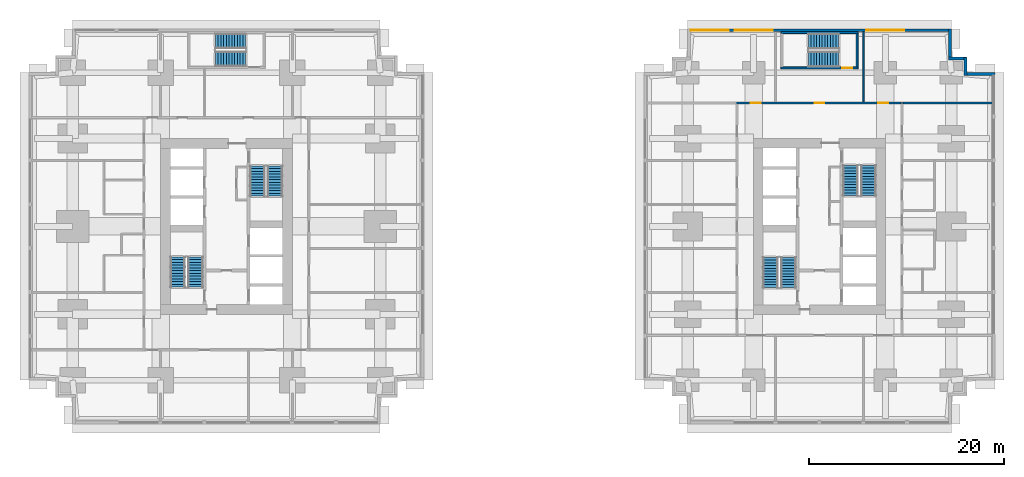
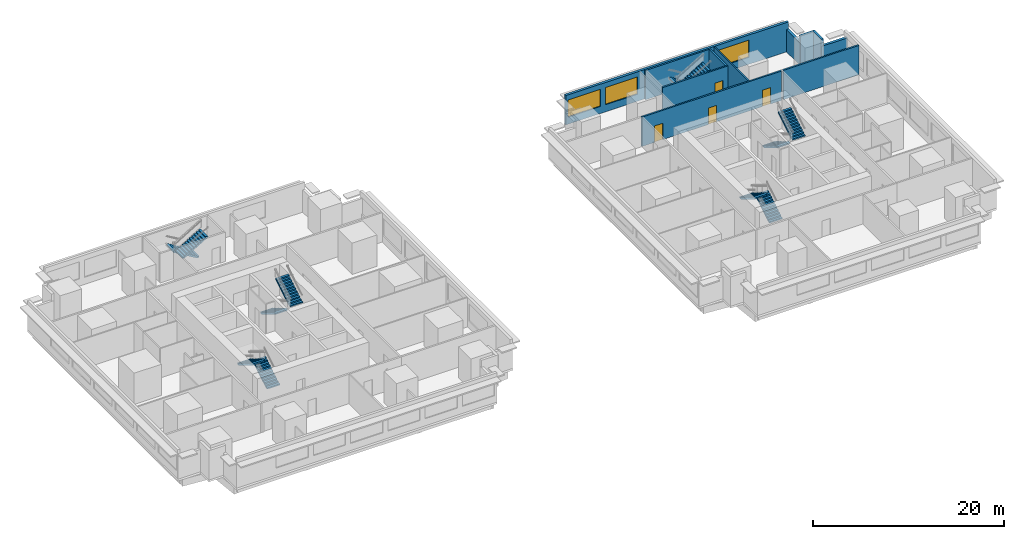
# One storey, part 8 of 11: 12 stair flights, 11 walls, 4 doors, 3 windows, 7 openings, 6 elements without a shape of their own.
"""IFC4 building model written with IfcOpenShell, lengths in metres."""

from ifc_helpers import new_model, si_unit, direction, frame, frame_2d, origin, place, context, subcontext, project, spatial, polyline, rectangle, outline, extrude, material, layer, layer_set, type_object, element, fill, aggregate, save


model = new_model("IFC4")

# Units and contexts
model_context = context("Model", 3, precision=1e-05, world=origin(), true_north=direction((0.0, 1.0)))
body_context = subcontext(model_context, "Body", "Model", "MODEL_VIEW")
ifc_project = project(units=[si_unit("LENGTHUNIT", "METRE"), si_unit("AREAUNIT", "SQUARE_METRE"), si_unit("VOLUMEUNIT", "CUBIC_METRE"), si_unit("PLANEANGLEUNIT", "RADIAN"), si_unit("MASSUNIT", "GRAM", prefix="KILO")], contexts=[model_context])

# Site, building, storey
site_placement = place(None, origin())
site = spatial("IfcSite", under=ifc_project, at=site_placement, CompositionType="ELEMENT")
building_placement = place(site_placement, origin())
building = spatial("IfcBuilding", under=site, at=building_placement, Name="Namib Vertical Campus", CompositionType="ELEMENT")
storey_placement = place(building_placement, frame((0.0, 0.0, 33.0)))
storey = spatial("IfcBuildingStorey", under=building, at=storey_placement, Name="L07", CompositionType="ELEMENT", Elevation=33.0)

# Wall, openings, doors
ifc_material_1 = material(Name="Concrete masonry", Category="masonry")
ifc_layer_1 = layer(ifc_material_1, 0.199951171875)
ifc_layer_set_1 = layer_set([ifc_layer_1], Name="Corridor wall 200")
wall_type_1 = type_object("IfcWallType", Name="Corridor wall 200", PredefinedType="SOLIDWALL", material=ifc_layer_set_1)
wall_1_placement = place(storey_placement, frame((89.35009765625, 32.89990234375, 0.0), z_axis=(0.0, 0.0, 1.0), x_axis=(-1.0, 0.0, 0.0)))
wall_1 = element("IfcWall", 1, at=wall_1_placement, inside=storey, type_object=wall_type_1, Name="Corridor wall B L07 CN", PredefinedType="SOLIDWALL", context=body_context, shape_type="SweptSolid", body=[
    extrude(rectangle(XDim=16.900146484375, YDim=0.199951171875, at=frame_2d((8.4501953125, 0.0))), origin(), (0.0, 0.0, 1.0), 3.75),
])
opening_1_placement = place(wall_1_placement, frame((14.375, 0.0, 0.0)))
opening_1 = element("IfcOpeningElement", 2, at=opening_1_placement, cuts=wall_1, Name="Opening CD1", PredefinedType="OPENING", context=body_context, shape_type="SweptSolid", body=[
    extrude(rectangle(XDim=1.0, YDim=2.10009765625, at=frame_2d((0.5, 1.050048828125))), frame((0.0, 0.10986328125, 0.0), z_axis=(0.0, -1.0, 0.0), x_axis=(1.0, 0.0, 0.0)), (0.0, 0.0, 1.0), 0.219970703125),
])
opening_2_placement = place(wall_1_placement, frame((7.85009765625, 0.0, 0.0)))
opening_2 = element("IfcOpeningElement", 3, at=opening_2_placement, cuts=wall_1, Name="Opening CD1", PredefinedType="OPENING", context=body_context, shape_type="SweptSolid", body=[
    extrude(rectangle(XDim=1.0, YDim=2.10009765625, at=frame_2d((0.5, 1.050048828125))), frame((0.0, 0.10986328125, 0.0), z_axis=(0.0, -1.0, 0.0), x_axis=(1.0, 0.0, 0.0)), (0.0, 0.0, 1.0), 0.219970703125),
])
opening_3_placement = place(wall_1_placement, frame((1.324951171875, 0.0, 0.0)))
opening_3 = element("IfcOpeningElement", 4, at=opening_3_placement, cuts=wall_1, Name="Opening CD1", PredefinedType="OPENING", context=body_context, shape_type="SweptSolid", body=[
    extrude(rectangle(XDim=1.0, YDim=2.10009765625, at=frame_2d((0.5, 1.050048828125))), frame((0.0, 0.10986328125, 0.0), z_axis=(0.0, -1.0, 0.0), x_axis=(1.0, 0.0, 0.0)), (0.0, 0.0, 1.0), 0.219970703125),
])
ifc_material_2 = material(Name="Timber fire door leaf", Category="wood")
door_type_1 = type_object("IfcDoorType", Name="Corridor door 1000x2100 20 min", OperationType="SINGLE_SWING_LEFT", PredefinedType="DOOR", material=ifc_material_2)
door_1_placement = place(opening_1_placement, frame((1.0, 0.0, 0.0), z_axis=(0.0, 0.0, 1.0), x_axis=(-1.0, 0.0, 0.0)))
door_1 = element("IfcDoor", 5, at=door_1_placement, inside=storey, type_object=door_type_1, Name="Door CD1 B07-11", OperationType="SINGLE_SWING_RIGHT", OverallHeight=2.10009765625, OverallWidth=1.0, PredefinedType="DOOR", context=body_context, shape_type="SweptSolid", body=[
    extrude(rectangle(XDim=1.0, YDim=2.10009765625, at=frame_2d((0.5, 1.050048828125))), frame((0.0, 0.02490234375, 0.0), z_axis=(0.0, -1.0, 0.0), x_axis=(1.0, 0.0, 0.0)), (0.0, 0.0, 1.0), 0.050048828125),
])
fill(opening_1, door_1)
door_2_placement = place(opening_2_placement, frame((1.0, 0.0, 0.0), z_axis=(0.0, 0.0, 1.0), x_axis=(-1.0, 0.0, 0.0)))
door_2 = element("IfcDoor", 6, at=door_2_placement, inside=storey, type_object=door_type_1, Name="Door CD1 B07-12", OperationType="SINGLE_SWING_RIGHT", OverallHeight=2.10009765625, OverallWidth=1.0, PredefinedType="DOOR", context=body_context, shape_type="SweptSolid", body=[
    extrude(rectangle(XDim=1.0, YDim=2.10009765625, at=frame_2d((0.5, 1.050048828125))), frame((0.0, 0.02490234375, 0.0), z_axis=(0.0, -1.0, 0.0), x_axis=(1.0, 0.0, 0.0)), (0.0, 0.0, 1.0), 0.050048828125),
])
fill(opening_2, door_2)
door_3_placement = place(opening_3_placement, frame((1.0, 0.0, 0.0), z_axis=(0.0, 0.0, 1.0), x_axis=(-1.0, 0.0, 0.0)))
door_3 = element("IfcDoor", 7, at=door_3_placement, inside=storey, type_object=door_type_1, Name="Door CD1 B07-13", OperationType="SINGLE_SWING_LEFT", OverallHeight=2.10009765625, OverallWidth=1.0, PredefinedType="DOOR", context=body_context, shape_type="SweptSolid", body=[
    extrude(rectangle(XDim=1.0, YDim=2.10009765625, at=frame_2d((0.5, 1.050048828125))), frame((0.0, 0.02490234375, 0.0), z_axis=(0.0, -1.0, 0.0), x_axis=(1.0, 0.0, 0.0)), (0.0, 0.0, 1.0), 0.050048828125),
])
fill(opening_3, door_3)

# Walls
wall_2_placement = place(storey_placement, frame((89.550048828125, 32.89990234375, 0.0), z_axis=(0.0, 0.0, 1.0), x_axis=(1.0, 0.0, 0.0)))
element("IfcWall", 8, at=wall_2_placement, inside=storey, type_object=wall_type_1, Name="Partition B L07 BNE", PredefinedType="SOLIDWALL", context=body_context, shape_type="SweptSolid", body=[
    extrude(rectangle(XDim=9.14990234375, YDim=0.199951171875, at=frame_2d((4.574951171875, 0.0))), origin(), (0.0, 0.0, 1.0), 3.75),
])
ifc_material_3 = material(Name="Concrete C40/50", Category="concrete")
ifc_layer_2 = layer(ifc_material_3, 0.300048828125)
ifc_layer_set_2 = layer_set([ifc_layer_2], Name="Concrete C40/50")
wall_type_2 = type_object("IfcWallType", Name="External wall 300 board-marked concrete", PredefinedType="STANDARD", material=ifc_layer_set_2)
wall_3_placement = place(storey_placement, frame((98.97998046875, 35.85009765625, 0.0), z_axis=(0.0, 0.0, 1.0), x_axis=(-1.0, 0.0, 0.0)))
element("IfcWall", 9, at=wall_3_placement, inside=storey, type_object=wall_type_2, Name="External wall L07 F07", PredefinedType="STANDARD", context=body_context, shape_type="SweptSolid", body=[
    extrude(rectangle(XDim=3.159912109375, YDim=0.300048828125, at=frame_2d((1.580078125, 0.0))), origin(), (0.0, 0.0, 1.0), 2.85009765625),
])
for number, where, z_axis, x_axis, name in (
    (10, (95.949951171875, 35.719970703125, 0.0), (0.0, 0.0, 1.0), (0.0, 1.0, 0.0), "External wall L07 F08"),
    (11, (96.080078125, 37.449951171875, 0.0), (0.0, 0.0, 1.0), (-1.0, 0.0, 0.0), "External wall L07 F09"),
):
    element("IfcWall", number, at=place(storey_placement, frame(where, z_axis=z_axis, x_axis=x_axis)), inside=storey, type_object=wall_type_2, Name=name, PredefinedType="STANDARD", context=body_context, shape_type="SweptSolid", body=[
        extrude(rectangle(XDim=1.860107421875, YDim=0.300048828125, at=frame_2d((0.93017578125, 0.0))), origin(), (0.0, 0.0, 1.0), 3.75),
    ])
wall_4_placement = place(storey_placement, frame((94.35009765625, 37.320068359375, 0.0), z_axis=(0.0, 0.0, 1.0), x_axis=(0.0, 1.0, 0.0)))
element("IfcWall", 12, at=wall_4_placement, inside=storey, type_object=wall_type_2, Name="External wall L07 F10", PredefinedType="STANDARD", context=body_context, shape_type="SweptSolid", body=[
    extrude(rectangle(XDim=3.159912109375, YDim=0.300048828125, at=frame_2d((1.580078125, 0.0))), origin(), (0.0, 0.0, 1.0), 2.85009765625),
])

# Wall, openings, windows
wall_5_placement = place(storey_placement, frame((94.47998046875, 40.35009765625, 0.0), z_axis=(0.0, 0.0, 1.0), x_axis=(-1.0, 0.0, 0.0)))
wall_5 = element("IfcWall", 13, at=wall_5_placement, inside=storey, type_object=wall_type_2, Name="External wall L07 F11", PredefinedType="STANDARD", context=body_context, shape_type="SweptSolid", body=[
    extrude(rectangle(XDim=26.9599609375, YDim=0.300048828125, at=frame_2d((13.47998046875, 0.0))), origin(), (0.0, 0.0, 1.0), 3.75),
])
opening_4_placement = place(wall_5_placement, frame((22.780029296875, 0.0, 0.89990234375)))
opening_4 = element("IfcOpeningElement", 14, at=opening_4_placement, cuts=wall_5, Name="Opening W1", PredefinedType="OPENING", context=body_context, shape_type="SweptSolid", body=[
    extrude(rectangle(XDim=3.89990234375, YDim=2.199951171875, at=frame_2d((1.949951171875, 1.10009765625))), frame((0.0, 0.159912109375, 0.0), z_axis=(0.0, -1.0, 0.0), x_axis=(1.0, 0.0, 0.0)), (0.0, 0.0, 1.0), 0.320068359375),
])
opening_5_placement = place(wall_5_placement, frame((18.280029296875, 0.0, 0.89990234375)))
opening_5 = element("IfcOpeningElement", 15, at=opening_5_placement, cuts=wall_5, Name="Opening W1", PredefinedType="OPENING", context=body_context, shape_type="SweptSolid", body=[
    extrude(rectangle(XDim=3.89990234375, YDim=2.199951171875, at=frame_2d((1.949951171875, 1.10009765625))), frame((0.0, 0.159912109375, 0.0), z_axis=(0.0, -1.0, 0.0), x_axis=(1.0, 0.0, 0.0)), (0.0, 0.0, 1.0), 0.320068359375),
])
opening_6_placement = place(wall_5_placement, frame((4.780029296875, 0.0, 0.89990234375)))
opening_6 = element("IfcOpeningElement", 16, at=opening_6_placement, cuts=wall_5, Name="Opening W1", PredefinedType="OPENING", context=body_context, shape_type="SweptSolid", body=[
    extrude(rectangle(XDim=3.89990234375, YDim=2.199951171875, at=frame_2d((1.949951171875, 1.10009765625))), frame((0.0, 0.159912109375, 0.0), z_axis=(0.0, -1.0, 0.0), x_axis=(1.0, 0.0, 0.0)), (0.0, 0.0, 1.0), 0.320068359375),
])
ifc_material_4 = material(Name="Dark tinted glass in black aluminium frame", Category="aluminium")
window_type = type_object("IfcWindowType", Name="Ribbon window 3900x2200", PartitioningType="SINGLE_PANEL", PredefinedType="WINDOW", material=ifc_material_4)
window_1_placement = place(opening_4_placement, origin())
window_1 = element("IfcWindow", 17, at=window_1_placement, inside=storey, type_object=window_type, Name="Window W1 L07 F11-1", OverallHeight=2.199951171875, OverallWidth=3.89990234375, PartitioningType="SINGLE_PANEL", PredefinedType="WINDOW", context=body_context, shape_type="SweptSolid", body=[
    extrude(rectangle(XDim=3.89990234375, YDim=2.199951171875, at=frame_2d((1.949951171875, 1.10009765625))), frame((0.0, 0.030029296875, 0.0), z_axis=(0.0, -1.0, 0.0), x_axis=(1.0, 0.0, 0.0)), (0.0, 0.0, 1.0), 0.06005859375),
])
fill(opening_4, window_1)
window_2_placement = place(opening_5_placement, origin())
window_2 = element("IfcWindow", 18, at=window_2_placement, inside=storey, type_object=window_type, Name="Window W1 L07 F11-2", OverallHeight=2.199951171875, OverallWidth=3.89990234375, PartitioningType="SINGLE_PANEL", PredefinedType="WINDOW", context=body_context, shape_type="SweptSolid", body=[
    extrude(rectangle(XDim=3.89990234375, YDim=2.199951171875, at=frame_2d((1.949951171875, 1.10009765625))), frame((0.0, 0.030029296875, 0.0), z_axis=(0.0, -1.0, 0.0), x_axis=(1.0, 0.0, 0.0)), (0.0, 0.0, 1.0), 0.06005859375),
])
fill(opening_5, window_2)
window_3_placement = place(opening_6_placement, origin())
window_3 = element("IfcWindow", 19, at=window_3_placement, inside=storey, type_object=window_type, Name="Window W1 L07 F11-5", OverallHeight=2.199951171875, OverallWidth=3.89990234375, PartitioningType="SINGLE_PANEL", PredefinedType="WINDOW", context=body_context, shape_type="SweptSolid", body=[
    extrude(rectangle(XDim=3.89990234375, YDim=2.199951171875, at=frame_2d((1.949951171875, 1.10009765625))), frame((0.0, 0.030029296875, 0.0), z_axis=(0.0, -1.0, 0.0), x_axis=(1.0, 0.0, 0.0)), (0.0, 0.0, 1.0), 0.06005859375),
])
fill(opening_6, window_3)

# Wall
ifc_material_5 = material(Name="Gypsum board on steel studs", Category="steel")
ifc_layer_3 = layer(ifc_material_5, 0.14990234375)
ifc_layer_set_3 = layer_set([ifc_layer_3], Name="Gypsum board on steel studs")
wall_type_3 = type_object("IfcWallType", Name="Partition 150", PredefinedType="PARTITIONING", material=ifc_layer_set_3)
wall_6_placement = place(storey_placement, frame((85.5, 33.0, 0.0), z_axis=(0.0, 0.0, 1.0), x_axis=(0.0, 1.0, 0.0)))
element("IfcWall", 20, at=wall_6_placement, inside=storey, type_object=wall_type_3, Name="Partition B L07 PN2", PredefinedType="PARTITIONING", context=body_context, shape_type="SweptSolid", body=[
    extrude(rectangle(XDim=7.199951171875, YDim=0.14990234375, at=frame_2d((3.60009765625, 0.0))), origin(), (0.0, 0.0, 1.0), 3.75),
])

# Wall, opening, door
ifc_material_6 = material(Name="Concrete C40/50", Category="concrete")
ifc_layer_4 = layer(ifc_material_6, 0.199951171875)
ifc_layer_set_4 = layer_set([ifc_layer_4], Name="Concrete C40/50")
wall_type_4 = type_object("IfcWallType", Name="Stair enclosure wall RC 200", PredefinedType="SOLIDWALL", material=ifc_layer_set_4)
wall_7_placement = place(storey_placement, frame((77.050048828125, 36.5, 0.0), z_axis=(0.0, 0.0, 1.0), x_axis=(1.0, 0.0, 0.0)))
wall_7 = element("IfcWall", 21, at=wall_7_placement, inside=storey, type_object=wall_type_4, Name="Stair enclosure wall B-S3 L07 S", PredefinedType="SOLIDWALL", context=body_context, shape_type="SweptSolid", body=[
    extrude(rectangle(XDim=7.89990234375, YDim=0.199951171875, at=frame_2d((3.949951171875, 0.0))), origin(), (0.0, 0.0, 1.0), 3.75),
])
opening_7_placement = place(wall_7_placement, frame((6.300048828125, 0.0, 0.0)))
opening_7 = element("IfcOpeningElement", 22, at=opening_7_placement, cuts=wall_7, Name="Opening FD1", PredefinedType="OPENING", context=body_context, shape_type="SweptSolid", body=[
    extrude(rectangle(XDim=1.0, YDim=2.10009765625, at=frame_2d((0.5, 1.050048828125))), frame((0.0, 0.10986328125, 0.0), z_axis=(0.0, -1.0, 0.0), x_axis=(1.0, 0.0, 0.0)), (0.0, 0.0, 1.0), 0.219970703125),
])
ifc_material_7 = material(Name="Steel fire door", Category="steel")
door_type_2 = type_object("IfcDoorType", Name="Fire door 1000x2100", OperationType="SINGLE_SWING_RIGHT", PredefinedType="DOOR", material=ifc_material_7)
door_4_placement = place(opening_7_placement, origin())
door_4 = element("IfcDoor", 23, at=door_4_placement, inside=storey, type_object=door_type_2, Name="Stair door FD1 B L07 S3", OperationType="SINGLE_SWING_RIGHT", OverallHeight=2.10009765625, OverallWidth=1.0, PredefinedType="DOOR", context=body_context, shape_type="SweptSolid", body=[
    extrude(rectangle(XDim=1.0, YDim=2.10009765625, at=frame_2d((0.5, 1.050048828125))), frame((0.0, 0.02490234375, 0.0), z_axis=(0.0, -1.0, 0.0), x_axis=(1.0, 0.0, 0.0)), (0.0, 0.0, 1.0), 0.050048828125),
])
fill(opening_7, door_4)

# Walls
wall_8_placement = place(storey_placement, frame((77.050048828125, 40.10009765625, 0.0), z_axis=(0.0, 0.0, 1.0), x_axis=(1.0, 0.0, 0.0)))
element("IfcWall", 24, at=wall_8_placement, inside=storey, type_object=wall_type_4, Name="Stair enclosure wall B-S3 L07 N", PredefinedType="SOLIDWALL", context=body_context, shape_type="SweptSolid", body=[
    extrude(rectangle(XDim=7.89990234375, YDim=0.199951171875, at=frame_2d((3.949951171875, 0.0))), origin(), (0.0, 0.0, 1.0), 3.75),
])
wall_9_placement = place(storey_placement, frame((84.85009765625, 36.60009765625, 0.0), z_axis=(0.0, 0.0, 1.0), x_axis=(0.0, 1.0, 0.0)))
element("IfcWall", 25, at=wall_9_placement, inside=storey, type_object=wall_type_4, Name="Stair enclosure wall B-S3 L07 E", PredefinedType="SOLIDWALL", context=body_context, shape_type="SweptSolid", body=[
    extrude(rectangle(XDim=3.39990234375, YDim=0.199951171875, at=frame_2d((1.699951171875, 0.0))), origin(), (0.0, 0.0, 1.0), 3.75),
])

# Stair, stair flights
ifc_material_8 = material(Name="Concrete C40/50 precast", Category="concrete")
stair_type_1 = type_object("IfcStairType", Name="Exit stair 4000 rise 24 risers 3350 wide", PredefinedType="HALF_TURN_STAIR", material=ifc_material_8)
stair_1_placement = place(storey_placement, origin())
stair_1 = element("IfcStair", 26, at=stair_1_placement, inside=storey, type_object=stair_type_1, Name="Exit stair A-S1 L07", PredefinedType="HALF_TURN_STAIR")
ifc_material_9 = material(Name="Concrete C40/50 precast", Category="concrete")
stair_flight_type_1 = type_object("IfcStairFlightType", Name="Stair flight 12 risers 167 1525 wide", PredefinedType="STRAIGHT", material=ifc_material_9)
stair_flight_1_placement = place(storey_placement, frame((17.08740234375, 14.050048828125, 0.0), z_axis=(0.0, 0.0, 1.0), x_axis=(0.0, 1.0, 0.0)))
stair_flight_1 = element("IfcStairFlight", 27, at=stair_flight_1_placement, type_object=stair_flight_type_1, Name="A-S1 flight 1", NumberOfRisers=12, NumberOfTreads=11, PredefinedType="STRAIGHT", RiserHeight=0.166666667, TreadLength=0.28, context=body_context, shape_type="SweptSolid", body=[
    extrude(outline(polyline([(0.0, 0.0), (0.0, 0.166748046875), (0.280029296875, 0.166748046875), (0.280029296875, 0.333251953125), (0.56005859375, 0.333251953125), (0.56005859375, 0.5), (0.840087890625, 0.5), (0.840087890625, 0.666748046875), (1.1201171875, 0.666748046875), (1.1201171875, 0.833251953125), (1.39990234375, 0.833251953125), (1.39990234375, 1.0), (1.679931640625, 1.0), (1.679931640625, 1.166748046875), (1.9599609375, 1.166748046875), (1.9599609375, 1.333251953125), (2.239990234375, 1.333251953125), (2.239990234375, 1.5), (2.52001953125, 1.5), (2.52001953125, 1.666748046875), (2.800048828125, 1.666748046875), (2.800048828125, 1.833251953125), (3.080078125, 1.833251953125), (3.080078125, 2.0), (3.080078125, 1.658935546875), (0.29296875, 0.0), (0.0, 0.0)])), frame((0.0, 0.762451171875, 0.0), z_axis=(0.0, -1.0, 0.0), x_axis=(1.0, 0.0, 0.0)), (0.0, 0.0, 1.0), 1.52490234375),
])
stair_flight_2_placement = place(storey_placement, frame((15.262451171875, 17.1298828125, 2.0), z_axis=(0.0, 0.0, 1.0), x_axis=(0.0, -1.0, 0.0)))
stair_flight_2 = element("IfcStairFlight", 28, at=stair_flight_2_placement, type_object=stair_flight_type_1, Name="A-S1 flight 2", NumberOfRisers=12, NumberOfTreads=11, PredefinedType="STRAIGHT", RiserHeight=0.166666667, TreadLength=0.28, context=body_context, shape_type="SweptSolid", body=[
    extrude(outline(polyline([(0.0, 0.0), (0.0, 0.166748046875), (0.280029296875, 0.166748046875), (0.280029296875, 0.333251953125), (0.56005859375, 0.333251953125), (0.56005859375, 0.5), (0.840087890625, 0.5), (0.840087890625, 0.666748046875), (1.1201171875, 0.666748046875), (1.1201171875, 0.833251953125), (1.39990234375, 0.833251953125), (1.39990234375, 1.0), (1.679931640625, 1.0), (1.679931640625, 1.166748046875), (1.9599609375, 1.166748046875), (1.9599609375, 1.333251953125), (2.239990234375, 1.333251953125), (2.239990234375, 1.5), (2.52001953125, 1.5), (2.52001953125, 1.666748046875), (2.800048828125, 1.666748046875), (2.800048828125, 1.833251953125), (3.080078125, 1.833251953125), (3.080078125, 2.0), (3.080078125, 1.658935546875), (0.29296875, 0.0), (0.0, 0.0)])), frame((0.0, 0.762451171875, 0.0), z_axis=(0.0, -1.0, 0.0), x_axis=(1.0, 0.0, 0.0)), (0.0, 0.0, 1.0), 1.52490234375),
])
aggregate(stair_1, [stair_flight_1, stair_flight_2])

stair_2_placement = place(storey_placement, origin())
stair_2 = element("IfcStair", 29, at=stair_2_placement, inside=storey, type_object=stair_type_1, Name="Exit stair A-S2 L07", PredefinedType="HALF_TURN_STAIR")
stair_flight_3_placement = place(storey_placement, frame((23.41259765625, 26.449951171875, 0.0), z_axis=(0.0, 0.0, 1.0), x_axis=(0.0, -1.0, 0.0)))
stair_flight_3 = element("IfcStairFlight", 30, at=stair_flight_3_placement, type_object=stair_flight_type_1, Name="A-S2 flight 1", NumberOfRisers=12, NumberOfTreads=11, PredefinedType="STRAIGHT", RiserHeight=0.166666667, TreadLength=0.28, context=body_context, shape_type="SweptSolid", body=[
    extrude(outline(polyline([(0.0, 0.0), (0.0, 0.166748046875), (0.280029296875, 0.166748046875), (0.280029296875, 0.333251953125), (0.56005859375, 0.333251953125), (0.56005859375, 0.5), (0.840087890625, 0.5), (0.840087890625, 0.666748046875), (1.1201171875, 0.666748046875), (1.1201171875, 0.833251953125), (1.39990234375, 0.833251953125), (1.39990234375, 1.0), (1.679931640625, 1.0), (1.679931640625, 1.166748046875), (1.9599609375, 1.166748046875), (1.9599609375, 1.333251953125), (2.239990234375, 1.333251953125), (2.239990234375, 1.5), (2.52001953125, 1.5), (2.52001953125, 1.666748046875), (2.800048828125, 1.666748046875), (2.800048828125, 1.833251953125), (3.080078125, 1.833251953125), (3.080078125, 2.0), (3.080078125, 1.658935546875), (0.29296875, 0.0), (0.0, 0.0)])), frame((0.0, 0.762451171875, 0.0), z_axis=(0.0, -1.0, 0.0), x_axis=(1.0, 0.0, 0.0)), (0.0, 0.0, 1.0), 1.52490234375),
])
stair_flight_4_placement = place(storey_placement, frame((25.237548828125, 23.3701171875, 2.0), z_axis=(0.0, 0.0, 1.0), x_axis=(0.0, 1.0, 0.0)))
stair_flight_4 = element("IfcStairFlight", 31, at=stair_flight_4_placement, type_object=stair_flight_type_1, Name="A-S2 flight 2", NumberOfRisers=12, NumberOfTreads=11, PredefinedType="STRAIGHT", RiserHeight=0.166666667, TreadLength=0.28, context=body_context, shape_type="SweptSolid", body=[
    extrude(outline(polyline([(0.0, 0.0), (0.0, 0.166748046875), (0.280029296875, 0.166748046875), (0.280029296875, 0.333251953125), (0.56005859375, 0.333251953125), (0.56005859375, 0.5), (0.840087890625, 0.5), (0.840087890625, 0.666748046875), (1.1201171875, 0.666748046875), (1.1201171875, 0.833251953125), (1.39990234375, 0.833251953125), (1.39990234375, 1.0), (1.679931640625, 1.0), (1.679931640625, 1.166748046875), (1.9599609375, 1.166748046875), (1.9599609375, 1.333251953125), (2.239990234375, 1.333251953125), (2.239990234375, 1.5), (2.52001953125, 1.5), (2.52001953125, 1.666748046875), (2.800048828125, 1.666748046875), (2.800048828125, 1.833251953125), (3.080078125, 1.833251953125), (3.080078125, 2.0), (3.080078125, 1.658935546875), (0.29296875, 0.0), (0.0, 0.0)])), frame((0.0, 0.762451171875, 0.0), z_axis=(0.0, -1.0, 0.0), x_axis=(1.0, 0.0, 0.0)), (0.0, 0.0, 1.0), 1.52490234375),
])
aggregate(stair_2, [stair_flight_3, stair_flight_4])

stair_3_placement = place(storey_placement, origin())
stair_3 = element("IfcStair", 32, at=stair_3_placement, inside=storey, type_object=stair_type_1, Name="Exit stair A-S3 L07", PredefinedType="HALF_TURN_STAIR")
stair_flight_5_placement = place(storey_placement, frame((22.199951171875, 39.237548828125, 0.0), z_axis=(0.0, 0.0, 1.0), x_axis=(-1.0, 0.0, 0.0)))
stair_flight_5 = element("IfcStairFlight", 33, at=stair_flight_5_placement, type_object=stair_flight_type_1, Name="A-S3 flight 1", NumberOfRisers=12, NumberOfTreads=11, PredefinedType="STRAIGHT", RiserHeight=0.166666667, TreadLength=0.28, context=body_context, shape_type="SweptSolid", body=[
    extrude(outline(polyline([(0.0, 0.0), (0.0, 0.166748046875), (0.280029296875, 0.166748046875), (0.280029296875, 0.333251953125), (0.56005859375, 0.333251953125), (0.56005859375, 0.5), (0.840087890625, 0.5), (0.840087890625, 0.666748046875), (1.1201171875, 0.666748046875), (1.1201171875, 0.833251953125), (1.39990234375, 0.833251953125), (1.39990234375, 1.0), (1.679931640625, 1.0), (1.679931640625, 1.166748046875), (1.9599609375, 1.166748046875), (1.9599609375, 1.333251953125), (2.239990234375, 1.333251953125), (2.239990234375, 1.5), (2.52001953125, 1.5), (2.52001953125, 1.666748046875), (2.800048828125, 1.666748046875), (2.800048828125, 1.833251953125), (3.080078125, 1.833251953125), (3.080078125, 2.0), (3.080078125, 1.658935546875), (0.29296875, 0.0), (0.0, 0.0)])), frame((0.0, 0.762451171875, 0.0), z_axis=(0.0, -1.0, 0.0), x_axis=(1.0, 0.0, 0.0)), (0.0, 0.0, 1.0), 1.52490234375),
])
stair_flight_6_placement = place(storey_placement, frame((19.1201171875, 37.41259765625, 2.0), z_axis=(0.0, 0.0, 1.0), x_axis=(1.0, 0.0, 0.0)))
stair_flight_6 = element("IfcStairFlight", 34, at=stair_flight_6_placement, type_object=stair_flight_type_1, Name="A-S3 flight 2", NumberOfRisers=12, NumberOfTreads=11, PredefinedType="STRAIGHT", RiserHeight=0.166666667, TreadLength=0.28, context=body_context, shape_type="SweptSolid", body=[
    extrude(outline(polyline([(0.0, 0.0), (0.0, 0.166748046875), (0.280029296875, 0.166748046875), (0.280029296875, 0.333251953125), (0.56005859375, 0.333251953125), (0.56005859375, 0.5), (0.840087890625, 0.5), (0.840087890625, 0.666748046875), (1.1201171875, 0.666748046875), (1.1201171875, 0.833251953125), (1.39990234375, 0.833251953125), (1.39990234375, 1.0), (1.679931640625, 1.0), (1.679931640625, 1.166748046875), (1.9599609375, 1.166748046875), (1.9599609375, 1.333251953125), (2.239990234375, 1.333251953125), (2.239990234375, 1.5), (2.52001953125, 1.5), (2.52001953125, 1.666748046875), (2.800048828125, 1.666748046875), (2.800048828125, 1.833251953125), (3.080078125, 1.833251953125), (3.080078125, 2.0), (3.080078125, 1.658935546875), (0.29296875, 0.0), (0.0, 0.0)])), frame((0.0, 0.762451171875, 0.0), z_axis=(0.0, -1.0, 0.0), x_axis=(1.0, 0.0, 0.0)), (0.0, 0.0, 1.0), 1.52490234375),
])
aggregate(stair_3, [stair_flight_5, stair_flight_6])

ifc_material_10 = material(Name="Concrete C40/50 precast", Category="concrete")
stair_type_2 = type_object("IfcStairType", Name="Exit stair 4000 rise 24 risers 3400 wide", PredefinedType="HALF_TURN_STAIR", material=ifc_material_10)
stair_4_placement = place(storey_placement, origin())
stair_4 = element("IfcStair", 35, at=stair_4_placement, inside=storey, type_object=stair_type_2, Name="Exit stair B-S1 L07", PredefinedType="HALF_TURN_STAIR")
ifc_material_11 = material(Name="Concrete C40/50 precast", Category="concrete")
stair_flight_type_2 = type_object("IfcStairFlightType", Name="Stair flight 12 risers 167 1550 wide", PredefinedType="STRAIGHT", material=ifc_material_11)
stair_flight_7_placement = place(storey_placement, frame((77.824951171875, 14.0, 0.0), z_axis=(0.0, 0.0, 1.0), x_axis=(0.0, 1.0, 0.0)))
stair_flight_7 = element("IfcStairFlight", 36, at=stair_flight_7_placement, type_object=stair_flight_type_2, Name="B-S1 flight 1", NumberOfRisers=12, NumberOfTreads=11, PredefinedType="STRAIGHT", RiserHeight=0.166666667, TreadLength=0.28, context=body_context, shape_type="SweptSolid", body=[
    extrude(outline(polyline([(0.0, 0.0), (0.0, 0.166748046875), (0.280029296875, 0.166748046875), (0.280029296875, 0.333251953125), (0.56005859375, 0.333251953125), (0.56005859375, 0.5), (0.840087890625, 0.5), (0.840087890625, 0.666748046875), (1.1201171875, 0.666748046875), (1.1201171875, 0.833251953125), (1.39990234375, 0.833251953125), (1.39990234375, 1.0), (1.679931640625, 1.0), (1.679931640625, 1.166748046875), (1.9599609375, 1.166748046875), (1.9599609375, 1.333251953125), (2.239990234375, 1.333251953125), (2.239990234375, 1.5), (2.52001953125, 1.5), (2.52001953125, 1.666748046875), (2.800048828125, 1.666748046875), (2.800048828125, 1.833251953125), (3.080078125, 1.833251953125), (3.080078125, 2.0), (3.080078125, 1.658935546875), (0.29296875, 0.0), (0.0, 0.0)])), frame((0.0, 0.77490234375, 0.0), z_axis=(0.0, -1.0, 0.0), x_axis=(1.0, 0.0, 0.0)), (0.0, 0.0, 1.0), 1.550048828125),
])
stair_flight_8_placement = place(storey_placement, frame((75.97509765625, 17.080078125, 2.0), z_axis=(0.0, 0.0, 1.0), x_axis=(0.0, -1.0, 0.0)))
stair_flight_8 = element("IfcStairFlight", 37, at=stair_flight_8_placement, type_object=stair_flight_type_2, Name="B-S1 flight 2", NumberOfRisers=12, NumberOfTreads=11, PredefinedType="STRAIGHT", RiserHeight=0.166666667, TreadLength=0.28, context=body_context, shape_type="SweptSolid", body=[
    extrude(outline(polyline([(0.0, 0.0), (0.0, 0.166748046875), (0.280029296875, 0.166748046875), (0.280029296875, 0.333251953125), (0.56005859375, 0.333251953125), (0.56005859375, 0.5), (0.840087890625, 0.5), (0.840087890625, 0.666748046875), (1.1201171875, 0.666748046875), (1.1201171875, 0.833251953125), (1.39990234375, 0.833251953125), (1.39990234375, 1.0), (1.679931640625, 1.0), (1.679931640625, 1.166748046875), (1.9599609375, 1.166748046875), (1.9599609375, 1.333251953125), (2.239990234375, 1.333251953125), (2.239990234375, 1.5), (2.52001953125, 1.5), (2.52001953125, 1.666748046875), (2.800048828125, 1.666748046875), (2.800048828125, 1.833251953125), (3.080078125, 1.833251953125), (3.080078125, 2.0), (3.080078125, 1.658935546875), (0.29296875, 0.0), (0.0, 0.0)])), frame((0.0, 0.77490234375, 0.0), z_axis=(0.0, -1.0, 0.0), x_axis=(1.0, 0.0, 0.0)), (0.0, 0.0, 1.0), 1.550048828125),
])
aggregate(stair_4, [stair_flight_7, stair_flight_8])

stair_5_placement = place(storey_placement, origin())
stair_5 = element("IfcStair", 38, at=stair_5_placement, inside=storey, type_object=stair_type_2, Name="Exit stair B-S2 L07", PredefinedType="HALF_TURN_STAIR")
stair_flight_9_placement = place(storey_placement, frame((84.175048828125, 26.5, 0.0), z_axis=(0.0, 0.0, 1.0), x_axis=(0.0, -1.0, 0.0)))
stair_flight_9 = element("IfcStairFlight", 39, at=stair_flight_9_placement, type_object=stair_flight_type_2, Name="B-S2 flight 1", NumberOfRisers=12, NumberOfTreads=11, PredefinedType="STRAIGHT", RiserHeight=0.166666667, TreadLength=0.28, context=body_context, shape_type="SweptSolid", body=[
    extrude(outline(polyline([(0.0, 0.0), (0.0, 0.166748046875), (0.280029296875, 0.166748046875), (0.280029296875, 0.333251953125), (0.56005859375, 0.333251953125), (0.56005859375, 0.5), (0.840087890625, 0.5), (0.840087890625, 0.666748046875), (1.1201171875, 0.666748046875), (1.1201171875, 0.833251953125), (1.39990234375, 0.833251953125), (1.39990234375, 1.0), (1.679931640625, 1.0), (1.679931640625, 1.166748046875), (1.9599609375, 1.166748046875), (1.9599609375, 1.333251953125), (2.239990234375, 1.333251953125), (2.239990234375, 1.5), (2.52001953125, 1.5), (2.52001953125, 1.666748046875), (2.800048828125, 1.666748046875), (2.800048828125, 1.833251953125), (3.080078125, 1.833251953125), (3.080078125, 2.0), (3.080078125, 1.658935546875), (0.29296875, 0.0), (0.0, 0.0)])), frame((0.0, 0.77490234375, 0.0), z_axis=(0.0, -1.0, 0.0), x_axis=(1.0, 0.0, 0.0)), (0.0, 0.0, 1.0), 1.550048828125),
])
stair_flight_10_placement = place(storey_placement, frame((86.02490234375, 23.419921875, 2.0), z_axis=(0.0, 0.0, 1.0), x_axis=(0.0, 1.0, 0.0)))
stair_flight_10 = element("IfcStairFlight", 40, at=stair_flight_10_placement, type_object=stair_flight_type_2, Name="B-S2 flight 2", NumberOfRisers=12, NumberOfTreads=11, PredefinedType="STRAIGHT", RiserHeight=0.166666667, TreadLength=0.28, context=body_context, shape_type="SweptSolid", body=[
    extrude(outline(polyline([(0.0, 0.0), (0.0, 0.166748046875), (0.280029296875, 0.166748046875), (0.280029296875, 0.333251953125), (0.56005859375, 0.333251953125), (0.56005859375, 0.5), (0.840087890625, 0.5), (0.840087890625, 0.666748046875), (1.1201171875, 0.666748046875), (1.1201171875, 0.833251953125), (1.39990234375, 0.833251953125), (1.39990234375, 1.0), (1.679931640625, 1.0), (1.679931640625, 1.166748046875), (1.9599609375, 1.166748046875), (1.9599609375, 1.333251953125), (2.239990234375, 1.333251953125), (2.239990234375, 1.5), (2.52001953125, 1.5), (2.52001953125, 1.666748046875), (2.800048828125, 1.666748046875), (2.800048828125, 1.833251953125), (3.080078125, 1.833251953125), (3.080078125, 2.0), (3.080078125, 1.658935546875), (0.29296875, 0.0), (0.0, 0.0)])), frame((0.0, 0.77490234375, 0.0), z_axis=(0.0, -1.0, 0.0), x_axis=(1.0, 0.0, 0.0)), (0.0, 0.0, 1.0), 1.550048828125),
])
aggregate(stair_5, [stair_flight_9, stair_flight_10])

stair_6_placement = place(storey_placement, origin())
stair_6 = element("IfcStair", 41, at=stair_6_placement, inside=storey, type_object=stair_type_2, Name="Exit stair B-S3 L07", PredefinedType="HALF_TURN_STAIR")
stair_flight_11_placement = place(storey_placement, frame((82.949951171875, 39.22509765625, 0.0), z_axis=(0.0, 0.0, 1.0), x_axis=(-1.0, 0.0, 0.0)))
stair_flight_11 = element("IfcStairFlight", 42, at=stair_flight_11_placement, type_object=stair_flight_type_2, Name="B-S3 flight 1", NumberOfRisers=12, NumberOfTreads=11, PredefinedType="STRAIGHT", RiserHeight=0.166666667, TreadLength=0.28, context=body_context, shape_type="SweptSolid", body=[
    extrude(outline(polyline([(0.0, 0.0), (0.0, 0.166748046875), (0.280029296875, 0.166748046875), (0.280029296875, 0.333251953125), (0.56005859375, 0.333251953125), (0.56005859375, 0.5), (0.840087890625, 0.5), (0.840087890625, 0.666748046875), (1.1201171875, 0.666748046875), (1.1201171875, 0.833251953125), (1.39990234375, 0.833251953125), (1.39990234375, 1.0), (1.679931640625, 1.0), (1.679931640625, 1.166748046875), (1.9599609375, 1.166748046875), (1.9599609375, 1.333251953125), (2.239990234375, 1.333251953125), (2.239990234375, 1.5), (2.52001953125, 1.5), (2.52001953125, 1.666748046875), (2.800048828125, 1.666748046875), (2.800048828125, 1.833251953125), (3.080078125, 1.833251953125), (3.080078125, 2.0), (3.080078125, 1.658935546875), (0.29296875, 0.0), (0.0, 0.0)])), frame((0.0, 0.77490234375, 0.0), z_axis=(0.0, -1.0, 0.0), x_axis=(1.0, 0.0, 0.0)), (0.0, 0.0, 1.0), 1.550048828125),
])
stair_flight_12_placement = place(storey_placement, frame((79.8701171875, 37.375, 2.0), z_axis=(0.0, 0.0, 1.0), x_axis=(1.0, 0.0, 0.0)))
stair_flight_12 = element("IfcStairFlight", 43, at=stair_flight_12_placement, type_object=stair_flight_type_2, Name="B-S3 flight 2", NumberOfRisers=12, NumberOfTreads=11, PredefinedType="STRAIGHT", RiserHeight=0.166666667, TreadLength=0.28, context=body_context, shape_type="SweptSolid", body=[
    extrude(outline(polyline([(0.0, 0.0), (0.0, 0.166748046875), (0.280029296875, 0.166748046875), (0.280029296875, 0.333251953125), (0.56005859375, 0.333251953125), (0.56005859375, 0.5), (0.840087890625, 0.5), (0.840087890625, 0.666748046875), (1.1201171875, 0.666748046875), (1.1201171875, 0.833251953125), (1.39990234375, 0.833251953125), (1.39990234375, 1.0), (1.679931640625, 1.0), (1.679931640625, 1.166748046875), (1.9599609375, 1.166748046875), (1.9599609375, 1.333251953125), (2.239990234375, 1.333251953125), (2.239990234375, 1.5), (2.52001953125, 1.5), (2.52001953125, 1.666748046875), (2.800048828125, 1.666748046875), (2.800048828125, 1.833251953125), (3.080078125, 1.833251953125), (3.080078125, 2.0), (3.080078125, 1.658935546875), (0.29296875, 0.0), (0.0, 0.0)])), frame((0.0, 0.77490234375, 0.0), z_axis=(0.0, -1.0, 0.0), x_axis=(1.0, 0.0, 0.0)), (0.0, 0.0, 1.0), 1.550048828125),
])
aggregate(stair_6, [stair_flight_11, stair_flight_12])

save(model, "model.ifc")
